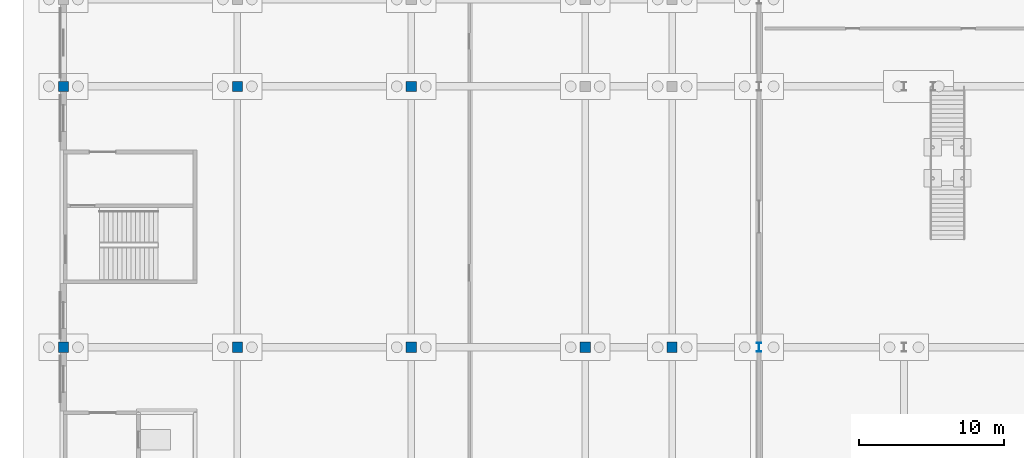
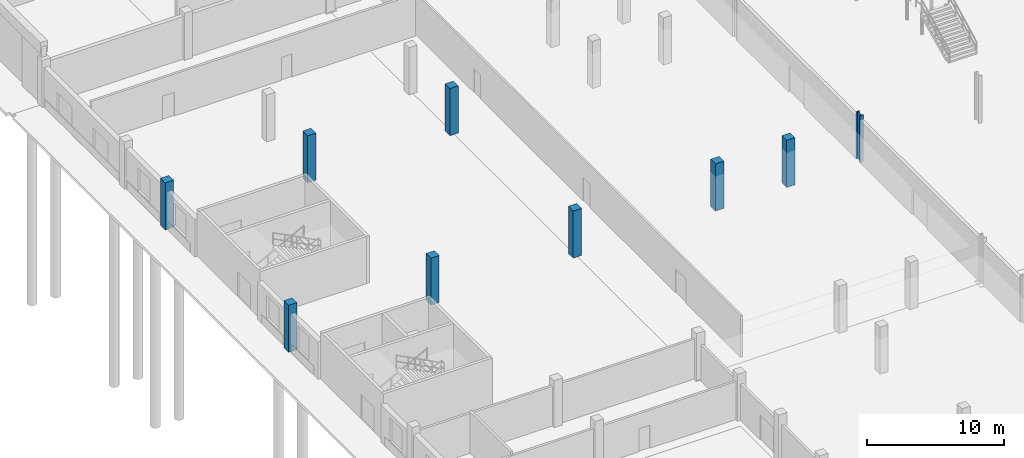
# One storey, part 19 of 77: 9 columns.
"""IFC4 building model written with IfcOpenShell, lengths in metres."""

from ifc_helpers import new_model, si_unit, direction, frame, origin, origin_2d, place, context, subcontext, project, spatial, rectangle, i_section, extrude, material, material_profile, profile_set, type_object, element, save


model = new_model("IFC4")

# Units and contexts
model_context = context("Model", 3, precision=1e-05, world=origin(), true_north=direction((0.0, 1.0)))
body_context = subcontext(model_context, "Body", "Model", "MODEL_VIEW")
ifc_project = project(units=[si_unit("LENGTHUNIT", "METRE"), si_unit("AREAUNIT", "SQUARE_METRE"), si_unit("VOLUMEUNIT", "CUBIC_METRE"), si_unit("PLANEANGLEUNIT", "RADIAN"), si_unit("MASSUNIT", "GRAM", prefix="KILO")], contexts=[model_context])

# Site, building, storey
site_placement = place(None, origin())
site = spatial("IfcSite", under=ifc_project, at=site_placement, CompositionType="ELEMENT")
building_placement = place(site_placement, origin())
building = spatial("IfcBuilding", under=site, at=building_placement, Name="Zilviju Railside Exhibition Hall", CompositionType="ELEMENT")
storey_placement = place(building_placement, origin())
storey = spatial("IfcBuildingStorey", under=building, at=storey_placement, Name="L01", CompositionType="ELEMENT", Elevation=0.0)

# Columns
ifc_material_1 = material(Name="Concrete C35/45", Category="concrete")
ifc_material_profile_1 = material_profile(ifc_material_1, rectangle(XDim=0.699951171875, YDim=0.699951171875, at=origin_2d()), Name="RC COL 700x700")
ifc_profile_set_1 = profile_set([ifc_material_profile_1], Name="Concrete C35/45")
column_type_1 = type_object("IfcColumnType", Name="COL-RC-700", PredefinedType="COLUMN", material=ifc_profile_set_1)
for number, where, z_axis, x_axis, name in (
    (1, (0.0, 102.0, 0.0), (0.0, 0.0, 1.0), (1.0, 0.0, 0.0), "Structural Column L01 (0.0, 102.0)"),
    (2, (12.0, 102.0, 0.0), (0.0, 0.0, 1.0), (1.0, 0.0, 0.0), "Structural Column L01 (12.0, 102.0)"),
    (3, (24.0, 102.0, 0.0), (0.0, 0.0, 1.0), (1.0, 0.0, 0.0), "Structural Column L01 (24.0, 102.0)"),
    (4, (36.0, 102.0, 0.0), (0.0, 0.0, 1.0), (1.0, 0.0, 0.0), "Structural Column L01 (36.0, 102.0)"),
    (5, (42.0, 102.0, 0.0), (0.0, 0.0, 1.0), (1.0, 0.0, 0.0), "Structural Column L01 (42.0, 102.0)"),
    (6, (0.0, 120.0, 0.0), (0.0, 0.0, 1.0), (1.0, 0.0, 0.0), "Structural Column L01 (0.0, 120.0)"),
    (7, (12.0, 120.0, 0.0), (0.0, 0.0, 1.0), (1.0, 0.0, 0.0), "Structural Column L01 (12.0, 120.0)"),
    (8, (24.0, 120.0, 0.0), (0.0, 0.0, 1.0), (1.0, 0.0, 0.0), "Structural Column L01 (24.0, 120.0)"),
):
    element("IfcColumn", number, at=place(storey_placement, frame(where, z_axis=z_axis, x_axis=x_axis)), inside=storey, type_object=column_type_1, Name=name, PredefinedType="COLUMN", context=body_context, shape_type="SweptSolid", body=[
        extrude(rectangle(XDim=0.699951171875, YDim=0.699951171875, at=origin_2d()), origin(), (0.0, 0.0, 1.0), 4.199951171875),
    ])
ifc_material_2 = material(Name="Steel S355J2", Category="steel")
ifc_material_profile_2 = material_profile(ifc_material_2, i_section(OverallWidth=0.300048828125, OverallDepth=0.60009765625, WebThickness=0.015380859375, FlangeThickness=0.030029296875, at=origin_2d()), Name="HEB 600")
ifc_profile_set_2 = profile_set([ifc_material_profile_2], Name="Steel S355J2")
column_type_2 = type_object("IfcColumnType", Name="COL-ST-HEB600", PredefinedType="COLUMN", material=ifc_profile_set_2)
column_placement = place(storey_placement, frame((48.0, 102.0, 0.0), z_axis=(0.0, 0.0, 1.0), x_axis=(1.0, 0.0, 0.0)))
element("IfcColumn", 9, at=column_placement, inside=storey, type_object=column_type_2, Name="Structural Column L01 (48.0, 102.0)", PredefinedType="COLUMN", context=body_context, shape_type="SweptSolid", body=[
    extrude(i_section(OverallWidth=0.300048828125, OverallDepth=0.60009765625, WebThickness=0.015380859375, FlangeThickness=0.030029296875, at=origin_2d()), origin(), (0.0, 0.0, 1.0), 4.199951171875),
])

save(model, "model.ifc")
